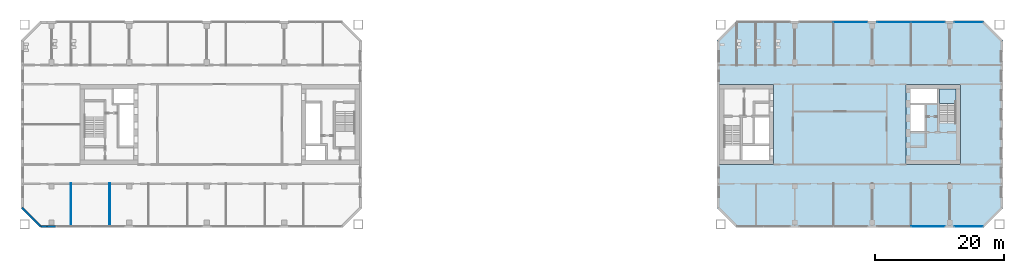
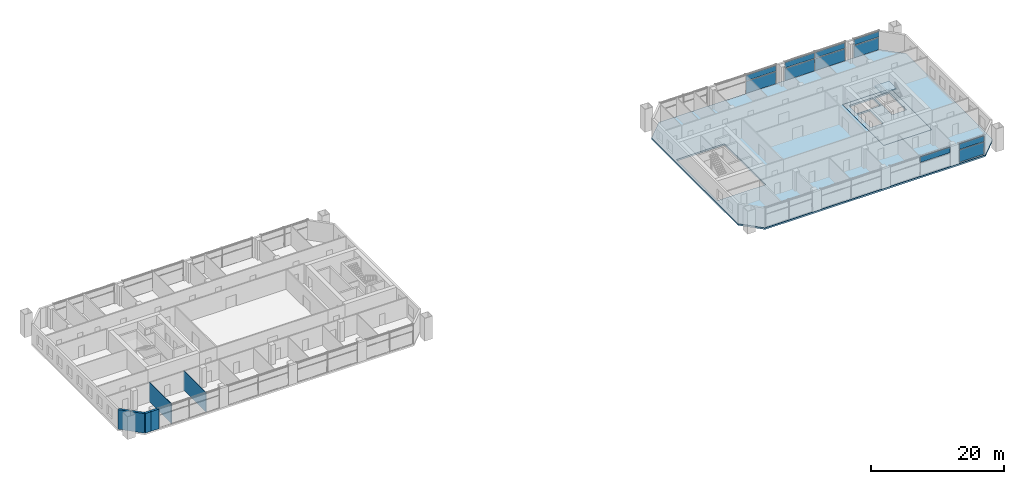
# One storey, part 9 of 19: 11 plates, 5 walls, 3 slabs, 6 elements without a shape of their own.
"""IFC4 building model written with IfcOpenShell, lengths in metres."""

from ifc_helpers import new_model, si_unit, direction, frame, frame_2d, origin, origin_2d, place, context, subcontext, project, spatial, polyline, rectangle, outline, extrude, material, layer, layer_set, type_object, element, aggregate, save


model = new_model("IFC4")

# Units and contexts
model_context = context("Model", 3, precision=1e-05, world=origin(), true_north=direction((0.0, 1.0)))
body_context = subcontext(model_context, "Body", "Model", "MODEL_VIEW")
ifc_project = project(units=[si_unit("LENGTHUNIT", "METRE"), si_unit("AREAUNIT", "SQUARE_METRE"), si_unit("VOLUMEUNIT", "CUBIC_METRE"), si_unit("PLANEANGLEUNIT", "RADIAN"), si_unit("MASSUNIT", "GRAM", prefix="KILO")], contexts=[model_context])

# Site, building, storey
site_placement = place(None, origin())
site = spatial("IfcSite", under=ifc_project, at=site_placement, CompositionType="ELEMENT")
building_placement = place(site_placement, origin())
building = spatial("IfcBuilding", under=site, at=building_placement, Name="Tuart Gate Housing", CompositionType="ELEMENT")
storey_placement = place(building_placement, frame((0.0, 0.0, 67.39990234375)))
storey = spatial("IfcBuildingStorey", under=building, at=storey_placement, Name="L18", CompositionType="ELEMENT", Elevation=67.39990234375)

# Slabs
ifc_material_1 = material(Name="Concrete C40", Category="concrete")
ifc_layer_1 = layer(ifc_material_1, 0.300048828125)
ifc_layer_set_1 = layer_set([ifc_layer_1], Name="Core floor slab 300")
slab_type_1 = type_object("IfcSlabType", Name="Core floor slab 300", PredefinedType="FLOOR", material=ifc_layer_set_1)
slab_1_placement = place(storey_placement, frame((0.0, 0.0, -0.2998046875)))
element("IfcSlab", 1, at=slab_1_placement, inside=storey, type_object=slab_type_1, Name="Core floor BK", PredefinedType="FLOOR", context=body_context, shape_type="SweptSolid", body=[
    extrude(outline(polyline([(160.239990234375, 63.800048828125), (168.639892578125, 63.800048828125), (168.639892578125, 76.199951171875), (160.239990234375, 76.199951171875), (160.239990234375, 63.800048828125)]), holes=[polyline([(160.93994140625, 73.14990234375), (165.090087890625, 73.14990234375), (165.090087890625, 75.5), (160.93994140625, 75.5), (160.93994140625, 73.14990234375)]), polyline([(160.93994140625, 68.89990234375), (163.139892578125, 68.89990234375), (163.139892578125, 73.0), (160.93994140625, 73.0), (160.93994140625, 68.89990234375)]), polyline([(165.389892578125, 70.169921875), (167.93994140625, 70.169921875), (167.93994140625, 75.5), (165.389892578125, 75.5), (165.389892578125, 70.169921875)])]), origin(), (0.0, 0.0, 1.0), 0.2998046875),
])
ifc_material_2 = material(Name="Concrete C40", Category="concrete")
ifc_layer_2 = layer(ifc_material_2, 0.300048828125)
ifc_layer_set_2 = layer_set([ifc_layer_2], Name="Flat plate 300")
slab_type_2 = type_object("IfcSlabType", Name="Flat plate 300", PredefinedType="FLOOR", material=ifc_layer_set_2)
slab_2_placement = place(storey_placement, frame((0.0, 0.0, -0.2998046875)))
element("IfcSlab", 2, at=slab_2_placement, inside=storey, type_object=slab_type_2, Name="Floor slab B L18", PredefinedType="FLOOR", context=body_context, shape_type="SweptSolid", body=[
    extrude(outline(polyline([(134.0, 86.0), (131.0, 83.0), (131.0, 57.0), (134.0, 54.0), (172.25, 54.0), (175.25, 57.0), (175.25, 83.0), (172.25, 86.0), (134.0, 86.0)]), holes=[polyline([(131.360107421875, 76.199951171875), (139.760009765625, 76.199951171875), (139.760009765625, 63.800048828125), (131.360107421875, 63.800048828125), (131.360107421875, 76.199951171875)]), polyline([(168.639892578125, 76.199951171875), (168.639892578125, 63.800048828125), (160.239990234375, 63.800048828125), (160.239990234375, 76.199951171875), (168.639892578125, 76.199951171875)])]), origin(), (0.0, 0.0, 1.0), 0.2998046875),
])

# Curtain wall, plate
ifc_material_3 = material(Name="Aluminium and clear glass", Category="aluminium")
curtain_wall_type = type_object("IfcCurtainWallType", Name="Community floor glazing", PredefinedType="USERDEFINED", material=ifc_material_3)
curtain_wall_1_placement = place(storey_placement, origin())
curtain_wall_1 = element("IfcCurtainWall", 3, at=curtain_wall_1_placement, inside=storey, type_object=curtain_wall_type, Name="Community floor glazing B-S L18", ObjectType="COMMUNITY FLOOR GLAZING", PredefinedType="USERDEFINED")
ifc_material_4 = material(Name="Clear glass", Category="glass")
ifc_layer_3 = layer(ifc_material_4, 0.028076171875)
ifc_layer_set_3 = layer_set([ifc_layer_3], Name="Glazed panel 28")
plate_type_1 = type_object("IfcPlateType", Name="Glazed panel 28", PredefinedType="CURTAIN_PANEL", material=ifc_layer_set_3)
plate_1_placement = place(storey_placement, frame((163.635009765625, 54.179931640625, 2.460205078125), z_axis=(0.0, 0.0, 1.0), x_axis=(1.0, 0.0, 0.0)))
plate_1 = element("IfcPlate", 4, at=plate_1_placement, type_object=plate_type_1, Name="CW3 panel 2.2", PredefinedType="CURTAIN_PANEL", context=body_context, shape_type="SweptSolid", body=[
    extrude(rectangle(XDim=5.2099609375, YDim=0.028076171875, at=origin_2d()), origin(), (0.0, 0.0, 1.0), 1.02001953125),
])
aggregate(curtain_wall_1, [plate_1])

curtain_wall_2_placement = place(storey_placement, origin())
curtain_wall_2 = element("IfcCurtainWall", 5, at=curtain_wall_2_placement, inside=storey, type_object=curtain_wall_type, Name="Community floor glazing B-S L18", ObjectType="COMMUNITY FLOOR GLAZING", PredefinedType="USERDEFINED")
plate_2_placement = place(storey_placement, frame((169.937744140625, 54.179931640625, 0.1201171875), z_axis=(0.0, 0.0, 1.0), x_axis=(1.0, 0.0, 0.0)))
plate_2 = element("IfcPlate", 6, at=plate_2_placement, type_object=plate_type_1, Name="CW3 panel 1.1", PredefinedType="CURTAIN_PANEL", context=body_context, shape_type="SweptSolid", body=[
    extrude(rectangle(XDim=4.35546875, YDim=0.028076171875, at=origin_2d()), origin(), (0.0, 0.0, 1.0), 2.219970703125),
])

curtain_wall_3_placement = place(storey_placement, origin())
curtain_wall_3 = element("IfcCurtainWall", 7, at=curtain_wall_3_placement, inside=storey, type_object=curtain_wall_type, Name="Community floor glazing B-N L18", ObjectType="COMMUNITY FLOOR GLAZING", PredefinedType="USERDEFINED")
plate_3_placement = place(storey_placement, frame((169.937744140625, 85.820068359375, 0.1201171875), z_axis=(0.0, 0.0, 1.0), x_axis=(-1.0, 0.0, 0.0)))
plate_3 = element("IfcPlate", 8, at=plate_3_placement, type_object=plate_type_1, Name="CW3 panel 1.1", PredefinedType="CURTAIN_PANEL", context=body_context, shape_type="SweptSolid", body=[
    extrude(rectangle(XDim=4.35546875, YDim=0.028076171875, at=origin_2d()), origin(), (0.0, 0.0, 1.0), 2.219970703125),
])

# Curtain wall, plates
curtain_wall_4_placement = place(storey_placement, origin())
curtain_wall_4 = element("IfcCurtainWall", 9, at=curtain_wall_4_placement, inside=storey, type_object=curtain_wall_type, Name="Community floor glazing B-N L18", ObjectType="COMMUNITY FLOOR GLAZING", PredefinedType="USERDEFINED")
plate_4_placement = place(storey_placement, frame((163.635009765625, 85.820068359375, 0.1201171875), z_axis=(0.0, 0.0, 1.0), x_axis=(-1.0, 0.0, 0.0)))
plate_4 = element("IfcPlate", 10, at=plate_4_placement, type_object=plate_type_1, Name="CW3 panel 1.1", PredefinedType="CURTAIN_PANEL", context=body_context, shape_type="SweptSolid", body=[
    extrude(rectangle(XDim=5.2099609375, YDim=0.028076171875, at=origin_2d()), origin(), (0.0, 0.0, 1.0), 2.219970703125),
])
plate_5_placement = place(storey_placement, frame((163.635009765625, 85.820068359375, 2.460205078125), z_axis=(0.0, 0.0, 1.0), x_axis=(-1.0, 0.0, 0.0)))
plate_5 = element("IfcPlate", 11, at=plate_5_placement, type_object=plate_type_1, Name="CW3 panel 1.2", PredefinedType="CURTAIN_PANEL", context=body_context, shape_type="SweptSolid", body=[
    extrude(rectangle(XDim=5.2099609375, YDim=0.028076171875, at=origin_2d()), origin(), (0.0, 0.0, 1.0), 1.02001953125),
])
plate_6_placement = place(storey_placement, frame((158.364990234375, 85.820068359375, 0.1201171875), z_axis=(0.0, 0.0, 1.0), x_axis=(-1.0, 0.0, 0.0)))
plate_6 = element("IfcPlate", 12, at=plate_6_placement, type_object=plate_type_1, Name="CW3 panel 2.1", PredefinedType="CURTAIN_PANEL", context=body_context, shape_type="SweptSolid", body=[
    extrude(rectangle(XDim=5.2099609375, YDim=0.028076171875, at=origin_2d()), origin(), (0.0, 0.0, 1.0), 2.219970703125),
])
plate_7_placement = place(storey_placement, frame((158.364990234375, 85.820068359375, 2.460205078125), z_axis=(0.0, 0.0, 1.0), x_axis=(-1.0, 0.0, 0.0)))
plate_7 = element("IfcPlate", 13, at=plate_7_placement, type_object=plate_type_1, Name="CW3 panel 2.2", PredefinedType="CURTAIN_PANEL", context=body_context, shape_type="SweptSolid", body=[
    extrude(rectangle(XDim=5.2099609375, YDim=0.028076171875, at=origin_2d()), origin(), (0.0, 0.0, 1.0), 1.02001953125),
])
aggregate(curtain_wall_4, [plate_4, plate_5, plate_6, plate_7])

curtain_wall_5_placement = place(storey_placement, origin())
curtain_wall_5 = element("IfcCurtainWall", 14, at=curtain_wall_5_placement, inside=storey, type_object=curtain_wall_type, Name="Community floor glazing B-N L18", ObjectType="COMMUNITY FLOOR GLAZING", PredefinedType="USERDEFINED")
plate_8_placement = place(storey_placement, frame((151.635009765625, 85.820068359375, 0.1201171875), z_axis=(0.0, 0.0, 1.0), x_axis=(-1.0, 0.0, 0.0)))
plate_8 = element("IfcPlate", 15, at=plate_8_placement, type_object=plate_type_1, Name="CW3 panel 1.1", PredefinedType="CURTAIN_PANEL", context=body_context, shape_type="SweptSolid", body=[
    extrude(rectangle(XDim=5.2099609375, YDim=0.028076171875, at=origin_2d()), origin(), (0.0, 0.0, 1.0), 2.219970703125),
])
plate_9_placement = place(storey_placement, frame((151.635009765625, 85.820068359375, 2.460205078125), z_axis=(0.0, 0.0, 1.0), x_axis=(-1.0, 0.0, 0.0)))
plate_9 = element("IfcPlate", 16, at=plate_9_placement, type_object=plate_type_1, Name="CW3 panel 1.2", PredefinedType="CURTAIN_PANEL", context=body_context, shape_type="SweptSolid", body=[
    extrude(rectangle(XDim=5.2099609375, YDim=0.028076171875, at=origin_2d()), origin(), (0.0, 0.0, 1.0), 1.02001953125),
])
aggregate(curtain_wall_5, [plate_8, plate_9])

# Plate
ifc_material_5 = material(Name="Insulated aluminium panel", Category="aluminium")
ifc_layer_4 = layer(ifc_material_5, 0.028076171875)
ifc_layer_set_4 = layer_set([ifc_layer_4], Name="Insulated opaque panel 28")
plate_type_2 = type_object("IfcPlateType", Name="Insulated opaque panel 28", PredefinedType="CURTAIN_PANEL", material=ifc_layer_set_4)
plate_10_placement = place(storey_placement, frame((169.937744140625, 54.179931640625, 2.460205078125), z_axis=(0.0, 0.0, 1.0), x_axis=(1.0, 0.0, 0.0)))
plate_10 = element("IfcPlate", 17, at=plate_10_placement, type_object=plate_type_2, Name="CW3 opaque panel 1.2", PredefinedType="CURTAIN_PANEL", context=body_context, shape_type="SweptSolid", body=[
    extrude(rectangle(XDim=4.35546875, YDim=0.028076171875, at=origin_2d()), origin(), (0.0, 0.0, 1.0), 1.02001953125),
])

aggregate(curtain_wall_2, [plate_2, plate_10])

plate_11_placement = place(storey_placement, frame((169.937744140625, 85.820068359375, 2.460205078125), z_axis=(0.0, 0.0, 1.0), x_axis=(-1.0, 0.0, 0.0)))
plate_11 = element("IfcPlate", 18, at=plate_11_placement, type_object=plate_type_2, Name="CW3 opaque panel 1.2", PredefinedType="CURTAIN_PANEL", context=body_context, shape_type="SweptSolid", body=[
    extrude(rectangle(XDim=4.35546875, YDim=0.028076171875, at=origin_2d()), origin(), (0.0, 0.0, 1.0), 1.02001953125),
])

aggregate(curtain_wall_3, [plate_3, plate_11])

# Stair, slab
ifc_material_6 = material(Name="Concrete C40", Category="concrete")
stair_type = type_object("IfcStairType", Name="Core stair 1250", PredefinedType="HALF_TURN_STAIR", material=ifc_material_6)
stair_placement = place(storey_placement, origin())
stair = element("IfcStair", 19, at=stair_placement, inside=storey, type_object=stair_type, Name="Stair SB2", PredefinedType="HALF_TURN_STAIR")
ifc_material_7 = material(Name="Concrete C40", Category="concrete")
ifc_layer_5 = layer(ifc_material_7, 0.199951171875)
ifc_layer_set_5 = layer_set([ifc_layer_5], Name="Stair landing 200")
slab_type_3 = type_object("IfcSlabType", Name="Stair landing 200", PredefinedType="LANDING", material=ifc_layer_set_5)
slab_3_placement = place(storey_placement, frame((0.0, 0.0, 1.900146484375)))
slab_3 = element("IfcSlab", 20, at=slab_3_placement, type_object=slab_type_3, Name="SB2 landing 1", PredefinedType="LANDING", context=body_context, shape_type="SweptSolid", body=[
    extrude(outline(polyline([(165.389892578125, 73.22998046875), (167.93994140625, 73.22998046875), (167.93994140625, 75.5), (165.389892578125, 75.5), (165.389892578125, 73.22998046875)])), origin(), (0.0, 0.0, 1.0), 0.199951171875),
])
aggregate(stair, [slab_3])

# Walls
ifc_material_8 = material(Name="Brick", Category="masonry")
ifc_layer_6 = layer(ifc_material_8, 0.360107421875)
ifc_layer_set_6 = layer_set([ifc_layer_6], Name="Brick pier and spandrel wall 360")
wall_type_1 = type_object("IfcWallType", Name="Brick pier and spandrel wall 360", PredefinedType="STANDARD", material=ifc_layer_set_6)
wall_1_placement = place(storey_placement, frame((23.429931640625, 57.07470703125, 0.0), z_axis=(0.0, 0.0, 1.0), x_axis=(0.707106781187, -0.707106781187, 0.0)))
element("IfcWall", 21, at=wall_1_placement, inside=storey, type_object=wall_type_1, Name="External wall A-SW L18", PredefinedType="STANDARD", context=body_context, shape_type="SweptSolid", body=[
    extrude(rectangle(XDim=4.09375, YDim=0.360107421875, at=frame_2d((2.046875, 0.0))), origin(), (0.0, 0.0, 1.0), 3.60009765625),
])
wall_2_placement = place(storey_placement, frame((27.300048828125, 54.179931640625, 0.0), z_axis=(0.0, 0.0, 1.0), x_axis=(1.0, 0.0, 0.0)))
element("IfcWall", 22, at=wall_2_placement, inside=storey, type_object=wall_type_1, Name="External wall A-S L18", PredefinedType="STANDARD", context=body_context, shape_type="SweptSolid", body=[
    extrude(rectangle(XDim=1.39990234375, YDim=0.360107421875, at=frame_2d((0.699951171875, 0.0))), origin(), (0.0, 0.0, 1.0), 3.60009765625),
])
wall_3_placement = place(storey_placement, frame((26.32470703125, 54.179931640625, 0.0), z_axis=(0.0, 0.0, 1.0), x_axis=(1.0, 0.0, 0.0)))
element("IfcWall", 23, at=wall_3_placement, inside=storey, type_object=wall_type_1, Name="External wall A-S L18", PredefinedType="STANDARD", context=body_context, shape_type="SweptSolid", body=[
    extrude(rectangle(XDim=0.975341796875, YDim=0.360107421875, at=frame_2d((0.48779296875, 0.0))), origin(), (0.0, 0.0, 1.0), 3.60009765625),
])
ifc_material_9 = material(Name="Gypsum board on steel studs", Category="steel")
ifc_layer_7 = layer(ifc_material_9, 0.10009765625)
ifc_layer_set_7 = layer_set([ifc_layer_7], Name="Partition 100")
wall_type_2 = type_object("IfcWallType", Name="Partition 100", PredefinedType="PARTITIONING", material=ifc_layer_set_7)
for number, where, z_axis, x_axis, name in (
    (24, (31.0, 54.239990234375, 0.0), (0.0, 0.0, 1.0), (0.0, 1.0, 0.0), "Partition 100"),
    (25, (37.0, 54.239990234375, 0.0), (0.0, 0.0, 1.0), (0.0, 1.0, 0.0), "Partition 100"),
):
    element("IfcWall", number, at=place(storey_placement, frame(where, z_axis=z_axis, x_axis=x_axis)), inside=storey, type_object=wall_type_2, Name=name, PredefinedType="PARTITIONING", context=body_context, shape_type="SweptSolid", body=[
        extrude(rectangle(XDim=6.659912109375, YDim=0.10009765625, at=frame_2d((3.330078125, 0.0))), origin(), (0.0, 0.0, 1.0), 3.60009765625),
    ])

save(model, "model.ifc")
